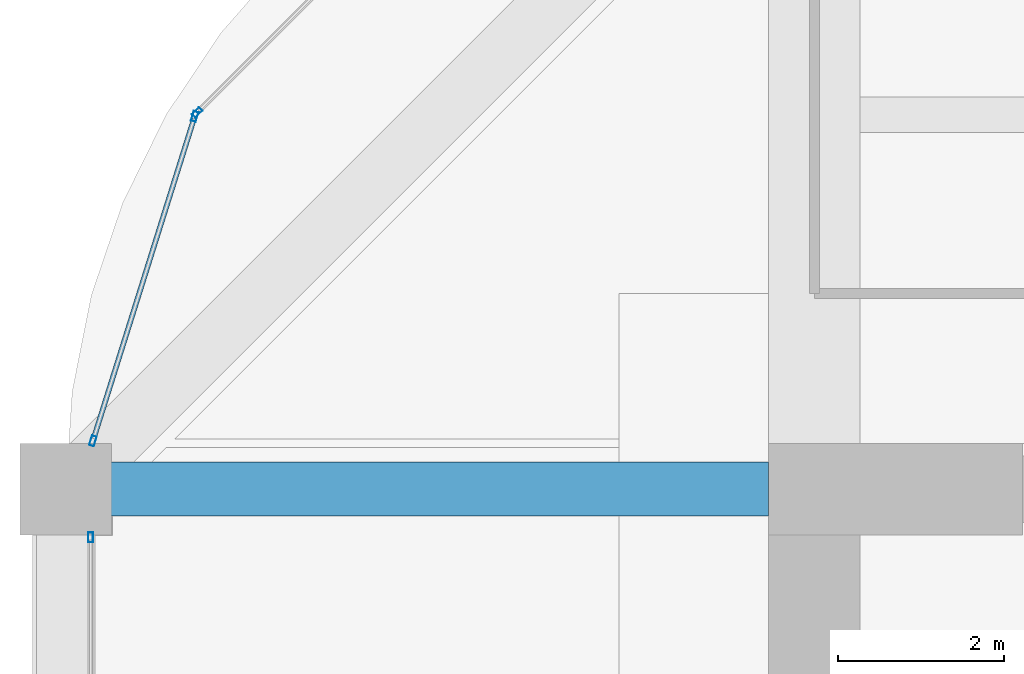
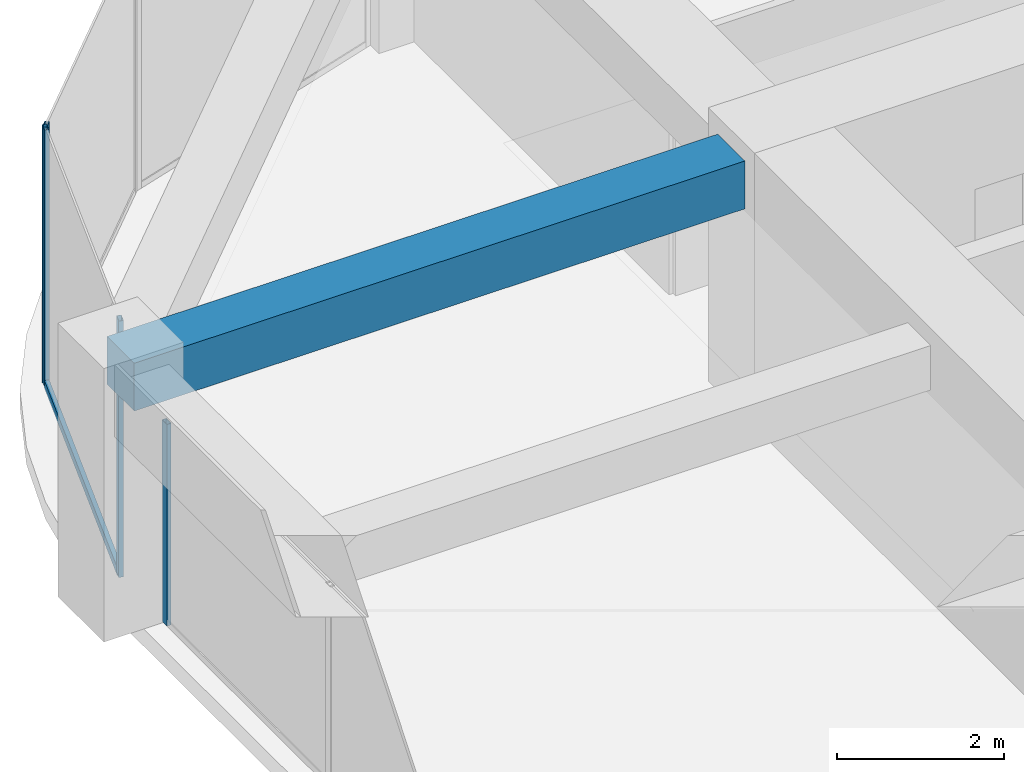
# One storey, part 28 of 45: 5 members, 1 beam, 3 elements without a shape of their own.
"""IFC4 building model written with IfcOpenShell, lengths in metres."""

import ifcopenshell
import ifcopenshell.guid

model = None  # the IFC model being written
_history = None  # IfcOwnerHistory: only IFC2X3 demands one
_inside = {}  # id of a spatial element -> (the spatial element, [elements in it])
_under = {}  # id of a project, library or spatial element -> (it, [spatial elements below it])
_declared = {}  # id of a project -> (the project, [libraries it declares])
_typed = {}  # id of a type object -> (the type object, [elements of that type])
_made_of = {}  # id of a material, layer set ... -> (it, [elements and type objects made of it])


def new_model(schema):
    """Start an empty IFC model of exactly this schema.

    Asked for "IFC4X3", IfcOpenShell would pick the latest addendum, in which some entities
    have other attributes; the version numbers below select the first issue.
    IFC2X3 requires an IfcOwnerHistory on every rooted entity: one is made here for all.
    """
    global model, _history
    if schema == "IFC4X3":
        model = ifcopenshell.file(schema_version=(4, 3, 0, 0))
    else:
        model = ifcopenshell.file(schema=schema)
    _inside.clear()
    _under.clear()
    _declared.clear()
    _typed.clear()
    _made_of.clear()
    _history = None
    if model.schema == "IFC2X3":
        org = make("IfcOrganization", Name="unknown")
        user = make(
            "IfcPersonAndOrganization",
            ThePerson=make("IfcPerson", FamilyName="unknown"),
            TheOrganization=org,
        )
        app = make(
            "IfcApplication",
            ApplicationDeveloper=org,
            Version="unknown",
            ApplicationFullName="unknown",
            ApplicationIdentifier="unknown",
        )
        _history = make(
            "IfcOwnerHistory",
            OwningUser=user,
            OwningApplication=app,
            ChangeAction="ADDED",
            CreationDate=0,
        )
    return model


def make(cls, **values):
    """One entity of the class cls with the attributes given. An attribute that is None is left unset."""
    return model.create_entity(
        cls, **{name: value for name, value in values.items() if value is not None}
    )


def rooted(cls, **values):
    """An entity with a GlobalId (a new one), such as an element, a storey or a relation."""
    return make(cls, GlobalId=ifcopenshell.guid.new(), OwnerHistory=_history, **values)


def si_unit(unit_type, name, prefix=None):
    """IfcSIUnit, for example si_unit("LENGTHUNIT", "METRE", prefix="MILLI")."""
    return make("IfcSIUnit", UnitType=unit_type, Prefix=prefix, Name=name)


def assignment(units):
    """IfcUnitAssignment: the units of a project."""
    return None if units is None else make("IfcUnitAssignment", Units=units)


def point(xyz):
    """IfcCartesianPoint."""
    return None if xyz is None else make("IfcCartesianPoint", Coordinates=xyz)


def direction(xyz):
    """IfcDirection."""
    return None if xyz is None else make("IfcDirection", DirectionRatios=xyz)


def frame(location, z_axis=None, x_axis=None):
    """IfcAxis2Placement3D, a coordinate frame: its origin and axes. An axis left out is left unset."""
    return make(
        "IfcAxis2Placement3D",
        Location=point(location),
        Axis=direction(z_axis),
        RefDirection=direction(x_axis),
    )


def frame_2d(location, x_axis=None):
    """IfcAxis2Placement2D, a coordinate frame in the plane: its origin and x axis."""
    return make(
        "IfcAxis2Placement2D", Location=point(location), RefDirection=direction(x_axis)
    )


def origin():
    """The frame at (0, 0, 0) with its axes left unset."""
    return frame((0.0, 0.0, 0.0))


def origin_2d():
    """The frame at (0, 0) in the plane with its x axis left unset."""
    return frame_2d((0.0, 0.0))


def place(relative_to, where):
    """IfcLocalPlacement: puts the frame where relative to a parent placement (None: the world)."""
    return make(
        "IfcLocalPlacement", PlacementRelTo=relative_to, RelativePlacement=where
    )


def context(
    kind, dimensions, precision=None, world=None, true_north=None, identifier=None
):
    """IfcGeometricRepresentationContext, for example the 3D "Model" context."""
    return make(
        "IfcGeometricRepresentationContext",
        ContextIdentifier=identifier,
        ContextType=kind,
        CoordinateSpaceDimension=dimensions,
        Precision=precision,
        WorldCoordinateSystem=world,
        TrueNorth=true_north,
    )


def subcontext(parent, identifier, kind, view, scale=None):
    """IfcGeometricRepresentationSubContext, for example "Body" below "Model"."""
    return make(
        "IfcGeometricRepresentationSubContext",
        ContextIdentifier=identifier,
        ContextType=kind,
        ParentContext=parent,
        TargetScale=scale,
        TargetView=view,
    )


def project(units=None, contexts=None):
    """IfcProject with its units and contexts."""
    return rooted(
        "IfcProject",
        Name="project",
        RepresentationContexts=contexts,
        UnitsInContext=assignment(units),
    )


def spatial(cls, under=None, at=None, **own):
    """A site, building, storey or space (cls), placed at a placement, below another one or the project."""
    s = rooted(cls, ObjectPlacement=at, **own)
    if under is not None:
        _under.setdefault(under.id(), (under, []))[1].append(s)
    return s


def profile(cls, at=None, kind="AREA", **sizes):
    """A parametric profile (cls). Its sizes go by their IFC names, for example OverallWidth=200.0."""
    return make(cls, ProfileType=kind, Position=at, **sizes)


def rectangle(**sizes):
    """IfcRectangleProfileDef."""
    return profile("IfcRectangleProfileDef", **sizes)


def hollow_rectangle(**sizes):
    """IfcRectangleHollowProfileDef."""
    return profile("IfcRectangleHollowProfileDef", **sizes)


def extrude(swept, where, along, depth):
    """IfcExtrudedAreaSolid: the profile swept, set in the frame where, extruded along a direction by depth."""
    return make(
        "IfcExtrudedAreaSolid",
        SweptArea=swept,
        Position=where,
        ExtrudedDirection=direction(along),
        Depth=depth,
    )


def shape(context_of_items, identifier, shape_type, items):
    """IfcShapeRepresentation: the items that make up one representation, for example the "Body"."""
    return make(
        "IfcShapeRepresentation",
        ContextOfItems=context_of_items,
        RepresentationIdentifier=identifier,
        RepresentationType=shape_type,
        Items=items,
    )


def material(Name=None, Category=None):
    """IfcMaterial."""
    return make("IfcMaterial", Name=Name, Category=Category)


def material_profile(
    of_material, cross_section, Name=None, Category=None, Priority=None
):
    """IfcMaterialProfile: a cross section and its material."""
    return make(
        "IfcMaterialProfile",
        Name=Name,
        Material=of_material,
        Profile=cross_section,
        Priority=Priority,
        Category=Category,
    )


def profile_set(profiles, Name=None, composite=None):
    """IfcMaterialProfileSet."""
    return make(
        "IfcMaterialProfileSet",
        Name=Name,
        MaterialProfiles=profiles,
        CompositeProfile=composite,
    )


def made_of(thing, what):
    """Note that an element or type object is made of a material, layer set ...; save() writes the relation."""
    if what is not None:
        _made_of.setdefault(what.id(), (what, []))[1].append(thing)
    return thing


def type_object(cls, material=None, **own):
    """A type object (cls), such as IfcWallType, which elements share."""
    return made_of(rooted(cls, **own), material)


def element(
    cls,
    number,
    at=None,
    inside=None,
    cuts=None,
    type_object=None,
    material=None,
    context=None,
    identifier="Body",
    shape_type=None,
    held_by="IfcProductDefinitionShape",
    body=None,
    shapes=None,
    **own,
):
    """One element of the class cls, such as IfcWall. Its Tag is "e" and its number.

    at: its placement. inside: the storey or other place that contains it. cuts: it is an
    opening in that element (IfcRelVoidsElement). A single representation is given by context,
    identifier, shape_type and body (its items); several are given by shapes. held_by: the class
    of the entity that holds the representations. save() writes the other relations.
    """
    e = rooted(cls, Tag="e%d" % number, ObjectPlacement=at, **own)
    if body is not None:
        shapes = [shape(context, identifier, shape_type, body)]
    if shapes is not None:
        e.Representation = make(held_by, Representations=shapes)
    if inside is not None:
        _inside.setdefault(inside.id(), (inside, []))[1].append(e)
    if cuts is not None:
        rooted(
            "IfcRelVoidsElement", RelatingBuildingElement=cuts, RelatedOpeningElement=e
        )
    if type_object is not None:
        _typed.setdefault(type_object.id(), (type_object, []))[1].append(e)
    return made_of(e, material)


def aggregate(whole, parts):
    """IfcRelAggregates: a whole, such as a stair, and the parts it consists of."""
    return rooted("IfcRelAggregates", RelatingObject=whole, RelatedObjects=parts)


def save(model, path):
    """Write the relations noted so far, then the file.

    IfcRelAggregates (storeys below a building ...), IfcRelContainedInSpatialStructure (elements
    in a storey), IfcRelDefinesByType, IfcRelAssociatesMaterial and IfcRelDeclares: one each for
    every whole, place, type object, material and project.
    """
    for whole, parts in _under.values():
        aggregate(whole, parts)
    for where, things in _inside.values():
        rooted(
            "IfcRelContainedInSpatialStructure",
            RelatedElements=things,
            RelatingStructure=where,
        )
    for kind, things in _typed.values():
        rooted("IfcRelDefinesByType", RelatedObjects=things, RelatingType=kind)
    for what, things in _made_of.values():
        rooted("IfcRelAssociatesMaterial", RelatedObjects=things, RelatingMaterial=what)
    for by, libraries in _declared.values():
        rooted("IfcRelDeclares", RelatingContext=by, RelatedDefinitions=libraries)
    model.write(path)


model = new_model("IFC4")

# Units and contexts
model_context = context("Model", 3, precision=1e-05, world=origin(), true_north=direction((0.0, 1.0)))
body_context = subcontext(model_context, "Body", "Model", "MODEL_VIEW")
ifc_project = project(units=[si_unit("LENGTHUNIT", "METRE"), si_unit("AREAUNIT", "SQUARE_METRE"), si_unit("VOLUMEUNIT", "CUBIC_METRE"), si_unit("PLANEANGLEUNIT", "RADIAN"), si_unit("MASSUNIT", "GRAM", prefix="KILO")], contexts=[model_context])

# Site, building, storey
site_placement = place(None, origin())
site = spatial("IfcSite", under=ifc_project, at=site_placement, CompositionType="ELEMENT")
building_placement = place(site_placement, origin())
building = spatial("IfcBuilding", under=site, at=building_placement, Name="Zorevar Civic Tower", CompositionType="ELEMENT")
storey_placement = place(building_placement, frame((0.0, 0.0, 279.39990234375)))
storey = spatial("IfcBuildingStorey", under=building, at=storey_placement, Name="L68", CompositionType="ELEMENT", Elevation=279.39990234375)

# Beam
ifc_material_1 = material(Name="Concrete C50/60", Category="concrete")
ifc_material_profile_1 = material_profile(ifc_material_1, rectangle(XDim=0.64990234375, YDim=0.699951171875, at=origin_2d()), Name="RC 650x700")
ifc_profile_set_1 = profile_set([ifc_material_profile_1], Name="Concrete C50/60")
beam_type = type_object("IfcBeamType", Name="Beam RC 650x700", PredefinedType="BEAM", material=ifc_profile_set_1)
beam_placement = place(storey_placement, frame((9.0, 36.0, 3.400146484375), z_axis=(1.0, 0.0, 0.0), x_axis=(0.0, 1.0, 0.0)))
element("IfcBeam", 1, at=beam_placement, inside=storey, type_object=beam_type, Name="Girder L69", PredefinedType="BEAM", context=body_context, shape_type="SweptSolid", body=[
    extrude(rectangle(XDim=0.64990234375, YDim=0.699951171875, at=origin_2d()), origin(), (0.0, 0.0, 1.0), 8.449951171875),
])

# Curtain wall, member
ifc_material_2 = material(Name="Dark grey solar-control glass in black aluminium frame", Category="aluminium")
curtain_wall_type = type_object("IfcCurtainWallType", Name="Curtain wall CW5 top zone", PredefinedType="NOTDEFINED", material=ifc_material_2)
curtain_wall_1_placement = place(storey_placement, origin())
curtain_wall_1 = element("IfcCurtainWall", 2, at=curtain_wall_1_placement, inside=storey, type_object=curtain_wall_type, Name="CW5 L68", PredefinedType="NOTDEFINED")
ifc_material_3 = material(Name="Aluminium, black anodised", Category="aluminium")
ifc_material_profile_2 = material_profile(ifc_material_3, hollow_rectangle(XDim=0.06005859375, YDim=0.1201171875, WallThickness=0.0029296875, at=origin_2d()), Name="AL 120x60x3")
ifc_profile_set_2 = profile_set([ifc_material_profile_2], Name="Aluminium, black anodised")
member_type_1 = type_object("IfcMemberType", Name="CW5 mullion AL 120x60x3", PredefinedType="MULLION", material=ifc_profile_set_2)
member_1_placement = place(storey_placement, frame((9.300048828125, 35.419921875, 0.0), z_axis=(0.0, 0.0, 1.0), x_axis=(-1.0, 0.0, 0.0)))
member_1 = element("IfcMember", 3, at=member_1_placement, type_object=member_type_1, Name="CW5 mullion 3", PredefinedType="MULLION", context=body_context, shape_type="SweptSolid", body=[
    extrude(hollow_rectangle(XDim=0.06005859375, YDim=0.1201171875, WallThickness=0.0029296875, at=origin_2d()), origin(), (0.0, 0.0, 1.0), 2.9501953125),
])
aggregate(curtain_wall_1, [member_1])

curtain_wall_2_placement = place(storey_placement, origin())
curtain_wall_2 = element("IfcCurtainWall", 4, at=curtain_wall_2_placement, inside=storey, type_object=curtain_wall_type, Name="CW5 L68", PredefinedType="NOTDEFINED")
member_2_placement = place(storey_placement, frame((10.580322265625, 40.529052734375, 0.0), z_axis=(0.0, 0.0, 1.0), x_axis=(0.707106781187, -0.707106781187, 0.0)))
member_2 = element("IfcMember", 5, at=member_2_placement, type_object=member_type_1, Name="CW5 mullion 2", PredefinedType="MULLION", context=body_context, shape_type="SweptSolid", body=[
    extrude(hollow_rectangle(XDim=0.06005859375, YDim=0.1201171875, WallThickness=0.0029296875, at=origin_2d()), origin(), (0.0, 0.0, 1.0), 3.75),
])
aggregate(curtain_wall_2, [member_2])

# Curtain wall, members
curtain_wall_3_placement = place(storey_placement, origin())
curtain_wall_3 = element("IfcCurtainWall", 6, at=curtain_wall_3_placement, inside=storey, type_object=curtain_wall_type, Name="CW5 L68", PredefinedType="NOTDEFINED")
member_3_placement = place(storey_placement, frame((10.550048828125, 40.479248046875, 0.0), z_axis=(0.0, 0.0, 1.0), x_axis=(0.954153437674, -0.299317920238, 0.0)))
member_3 = element("IfcMember", 7, at=member_3_placement, type_object=member_type_1, Name="CW5 mullion 1", PredefinedType="MULLION", context=body_context, shape_type="SweptSolid", body=[
    extrude(hollow_rectangle(XDim=0.06005859375, YDim=0.1201171875, WallThickness=0.0029296875, at=origin_2d()), origin(), (0.0, 0.0, 1.0), 3.75),
])
member_4_placement = place(storey_placement, frame((9.326416015625, 36.57861328125, 0.0), z_axis=(0.0, 0.0, 1.0), x_axis=(0.954153437674, -0.299317920238, 0.0)))
member_4 = element("IfcMember", 8, at=member_4_placement, type_object=member_type_1, Name="CW5 mullion 2", PredefinedType="MULLION", context=body_context, shape_type="SweptSolid", body=[
    extrude(hollow_rectangle(XDim=0.06005859375, YDim=0.1201171875, WallThickness=0.0029296875, at=origin_2d()), origin(), (0.0, 0.0, 1.0), 3.75),
])
ifc_material_4 = material(Name="Aluminium, black anodised", Category="aluminium")
ifc_material_profile_3 = material_profile(ifc_material_4, hollow_rectangle(XDim=0.06005859375, YDim=0.1201171875, WallThickness=0.0029296875, at=origin_2d()), Name="AL 120x60x3")
ifc_profile_set_3 = profile_set([ifc_material_profile_3], Name="Aluminium, black anodised")
member_type_2 = type_object("IfcMemberType", Name="CW5 transom AL 120x60x3", PredefinedType="USERDEFINED", material=ifc_profile_set_3)
member_5_placement = place(storey_placement, frame((10.541015625, 40.45068359375, 0.030029296875), z_axis=(-0.299285978047, -0.954163457351, 0.0), x_axis=(0.954163457351, -0.299285978047, 0.0)))
member_5 = element("IfcMember", 9, at=member_5_placement, type_object=member_type_2, Name="CW5 sill transom", ObjectType="TRANSOM", PredefinedType="USERDEFINED", context=body_context, shape_type="SweptSolid", body=[
    extrude(hollow_rectangle(XDim=0.06005859375, YDim=0.1201171875, WallThickness=0.0029296875, at=origin_2d()), origin(), (0.0, 0.0, 1.0), 4.028076171875),
])
aggregate(curtain_wall_3, [member_3, member_4, member_5])

save(model, "model.ifc")
